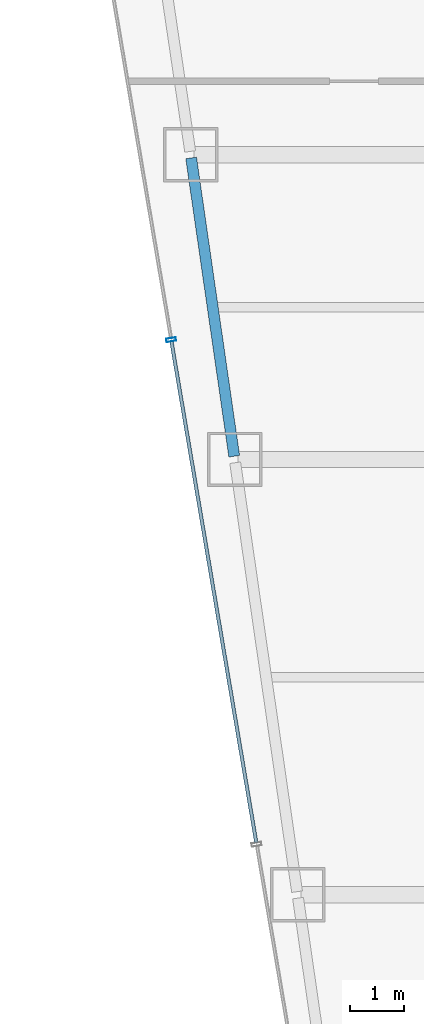
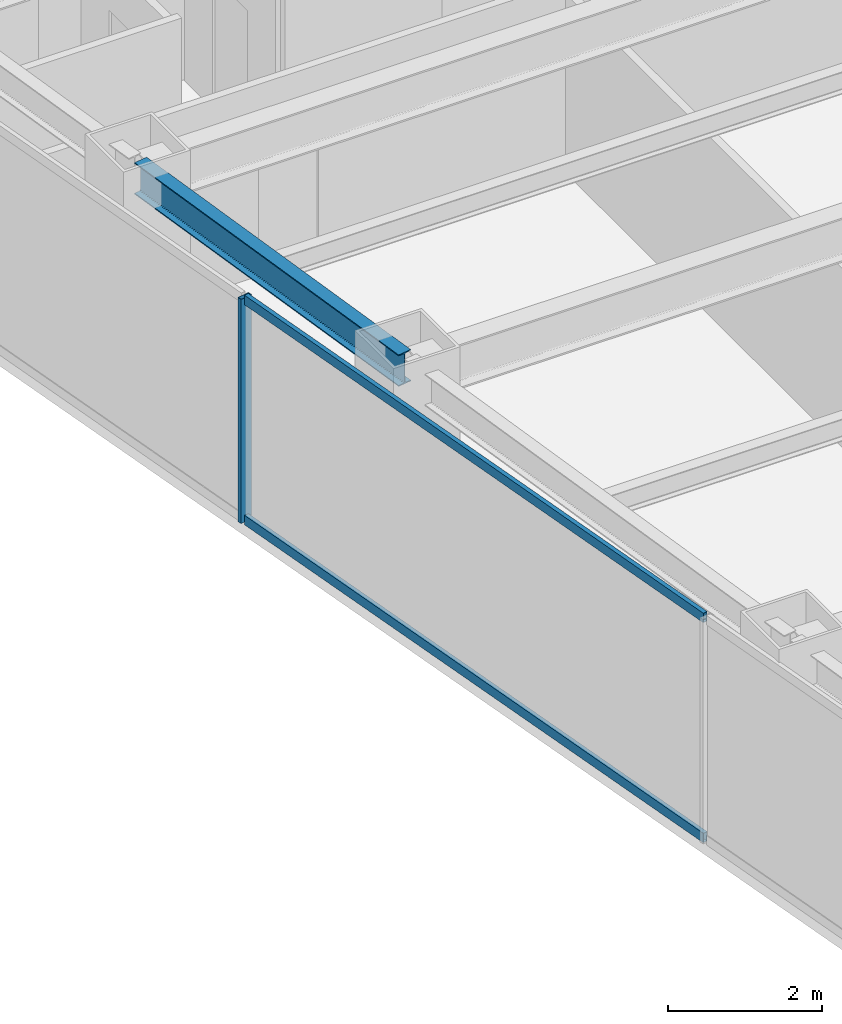
# One storey, part 8 of 35: 3 members, 1 beam, 1 element without a shape of its own.
"""IFC4 building model written with IfcOpenShell, lengths in metres."""

from ifc_helpers import new_model, si_unit, direction, frame, origin, origin_2d, place, context, subcontext, project, spatial, hollow_rectangle, i_section, extrude, material, material_profile, profile_set, type_object, element, aggregate, save


model = new_model("IFC4")

# Units and contexts
model_context = context("Model", 3, precision=1e-05, world=origin(), true_north=direction((0.0, 1.0)))
body_context = subcontext(model_context, "Body", "Model", "MODEL_VIEW")
ifc_project = project(units=[si_unit("LENGTHUNIT", "METRE"), si_unit("AREAUNIT", "SQUARE_METRE"), si_unit("VOLUMEUNIT", "CUBIC_METRE"), si_unit("PLANEANGLEUNIT", "RADIAN"), si_unit("MASSUNIT", "GRAM", prefix="KILO")], contexts=[model_context])

# Site, building, storey
site_placement = place(None, origin())
site = spatial("IfcSite", under=ifc_project, at=site_placement, CompositionType="ELEMENT")
building_placement = place(site_placement, origin())
building = spatial("IfcBuilding", under=site, at=building_placement, Name="Saevonmaru Cultural Tower", CompositionType="ELEMENT")
storey_placement = place(building_placement, frame((0.0, 0.0, 175.199951171875)))
storey = spatial("IfcBuildingStorey", under=building, at=storey_placement, Name="L39", CompositionType="ELEMENT", Elevation=175.199951171875)

# Beam
ifc_material_1 = material(Name="Steel SM355", Category="steel")
ifc_material_profile_1 = material_profile(ifc_material_1, i_section(OverallWidth=0.199951171875, OverallDepth=0.5, WebThickness=0.010009765625, FlangeThickness=0.01611328125, FilletRadius=0.02001953125, at=origin_2d()), Name="H-500x200x10x16")
ifc_profile_set_1 = profile_set([ifc_material_profile_1], Name="Steel SM355")
beam_type = type_object("IfcBeamType", Name="BM-SP-H500", PredefinedType="SPANDREL", material=ifc_profile_set_1)
beam_placement = place(storey_placement, frame((8.308349609375, 32.059326171875, 3.300048828125), z_axis=(-0.142964121327, 0.989727871697, 0.0), x_axis=(-0.989727871697, -0.142964121327, 0.0)))
element("IfcBeam", 1, at=beam_placement, inside=storey, type_object=beam_type, Name="L39 West Splayed Spandrel 3", PredefinedType="SPANDREL", context=body_context, shape_type="SweptSolid", body=[
    extrude(i_section(OverallWidth=0.199951171875, OverallDepth=0.5, WebThickness=0.010009765625, FlangeThickness=0.01611328125, FilletRadius=0.02001953125, at=origin_2d()), origin(), (0.0, 0.0, 1.0), 5.5380859375),
])

# Curtain wall, members
ifc_material_2 = material(Name="Satin Bronze Anodised Aluminium", Category="aluminium")
curtain_wall_type = type_object("IfcCurtainWallType", Name="CW-TYP-B", PredefinedType="NOTDEFINED", material=ifc_material_2)
curtain_wall_placement = place(storey_placement, origin())
curtain_wall = element("IfcCurtainWall", 2, at=curtain_wall_placement, inside=storey, type_object=curtain_wall_type, Name="L39 Unitised Curtain Wall E12", PredefinedType="NOTDEFINED")
ifc_material_profile_2 = material_profile(ifc_material_2, hollow_rectangle(XDim=0.06494140625, YDim=0.179931640625, WallThickness=0.00390625, at=origin_2d()), Name="ALU-MULL-180x65x4")
ifc_profile_set_2 = profile_set([ifc_material_profile_2], Name="Satin Bronze Anodised Aluminium")
member_type_1 = type_object("IfcMemberType", Name="ML-CW-180x65", PredefinedType="MULLION", material=ifc_profile_set_2)
member_1_placement = place(storey_placement, frame((7.14892578125, 34.199951171875, 0.0), z_axis=(0.0, 0.0, 1.0), x_axis=(0.16692169721, -0.985970155228, 0.0)))
member_1 = element("IfcMember", 3, at=member_1_placement, type_object=member_type_1, Name="CW-TW-L39-E12 mullion 3", PredefinedType="MULLION", context=body_context, shape_type="SweptSolid", body=[
    extrude(hollow_rectangle(XDim=0.06494140625, YDim=0.179931640625, WallThickness=0.00390625, at=origin_2d()), origin(), (0.0, 0.0, 1.0), 3.550048828125),
])
ifc_material_profile_3 = material_profile(ifc_material_2, hollow_rectangle(XDim=0.06494140625, YDim=0.14990234375, WallThickness=0.00390625, at=origin_2d()), Name="ALU-TRAN-150x65x4")
ifc_profile_set_3 = profile_set([ifc_material_profile_3], Name="Satin Bronze Anodised Aluminium")
member_type_2 = type_object("IfcMemberType", Name="TR-CW-150x65", PredefinedType="USERDEFINED", material=ifc_profile_set_3)
member_2_placement = place(storey_placement, frame((7.154296875, 34.16796875, 0.032470703125), z_axis=(0.166921263871, -0.985970228591, 0.0), x_axis=(0.985970228591, 0.166921263871, 0.0)))
member_2 = element("IfcMember", 4, at=member_2_placement, type_object=member_type_2, Name="CW-TW-L39-E12 transom 3.1", ObjectType="TRANSOM", PredefinedType="USERDEFINED", context=body_context, shape_type="SweptSolid", body=[
    extrude(hollow_rectangle(XDim=0.06494140625, YDim=0.14990234375, WallThickness=0.00390625, at=origin_2d()), origin(), (0.0, 0.0, 1.0), 9.33740234375),
])
member_3_placement = place(storey_placement, frame((7.154296875, 34.16796875, 3.517578125), z_axis=(0.166921263871, -0.985970228591, 0.0), x_axis=(0.985970228591, 0.166921263871, 0.0)))
member_3 = element("IfcMember", 5, at=member_3_placement, type_object=member_type_2, Name="CW-TW-L39-E12 transom 3.2", ObjectType="TRANSOM", PredefinedType="USERDEFINED", context=body_context, shape_type="SweptSolid", body=[
    extrude(hollow_rectangle(XDim=0.06494140625, YDim=0.14990234375, WallThickness=0.00390625, at=origin_2d()), origin(), (0.0, 0.0, 1.0), 9.33740234375),
])
aggregate(curtain_wall, [member_1, member_2, member_3])

save(model, "model.ifc")
